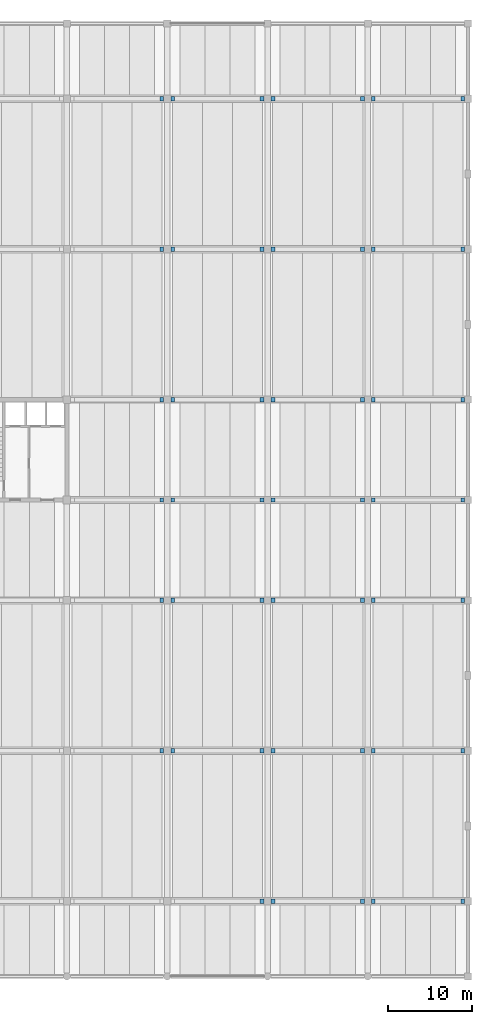
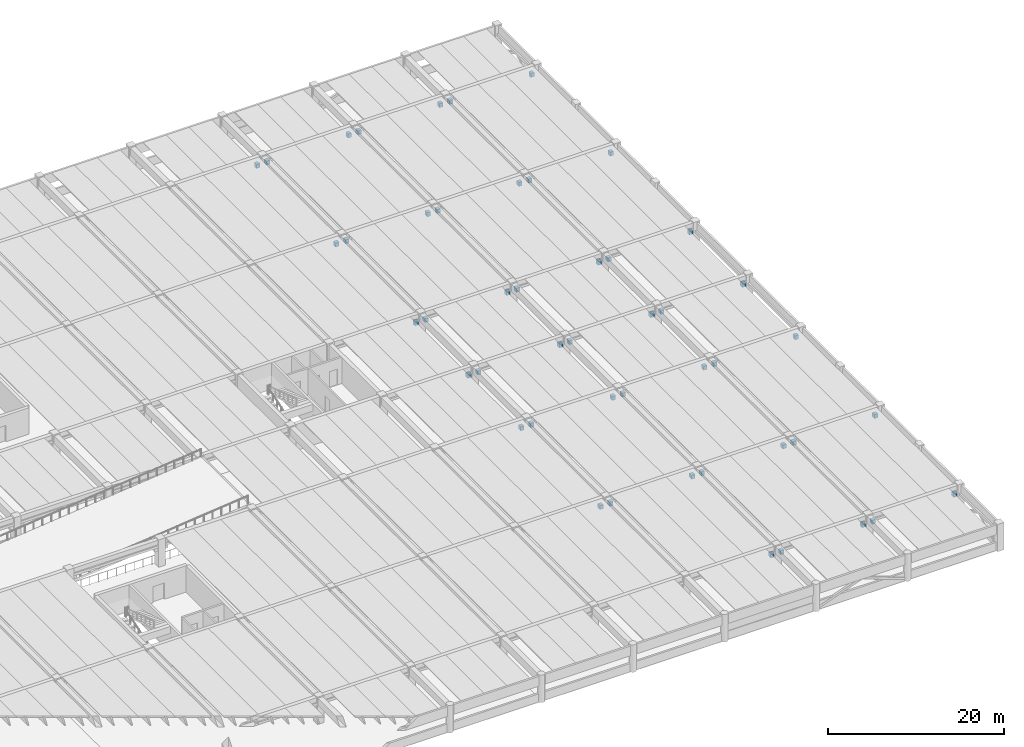
# One storey, part 14 of 19: 47 discrete accessories.
"""IFC4 building model written with IfcOpenShell, lengths in metres."""

from ifc_helpers import new_model, si_unit, direction, frame, origin, origin_2d, place, context, subcontext, project, spatial, rectangle, extrude, material, type_object, element, save


model = new_model("IFC4")

# Units and contexts
model_context = context("Model", 3, precision=1e-05, world=origin(), true_north=direction((0.0, 1.0)))
body_context = subcontext(model_context, "Body", "Model", "MODEL_VIEW")
ifc_project = project(units=[si_unit("LENGTHUNIT", "METRE"), si_unit("AREAUNIT", "SQUARE_METRE"), si_unit("VOLUMEUNIT", "CUBIC_METRE"), si_unit("PLANEANGLEUNIT", "RADIAN"), si_unit("MASSUNIT", "GRAM", prefix="KILO")], contexts=[model_context])

# Site, building, storey
site_placement = place(None, origin())
site = spatial("IfcSite", under=ifc_project, at=site_placement, CompositionType="ELEMENT")
building_placement = place(site_placement, origin())
building = spatial("IfcBuilding", under=site, at=building_placement, Name="Girod Span Mobility Hub", CompositionType="ELEMENT")
storey_placement = place(building_placement, frame((0.0, 0.0, 9.60009765625)))
storey = spatial("IfcBuildingStorey", under=building, at=storey_placement, Name="L02", CompositionType="ELEMENT", Elevation=9.60009765625)

# Discrete accessories
ifc_material = material(Name="Concrete C40/50", Category="concrete")
discrete_accessory_type = type_object("IfcDiscreteAccessoryType", Name="ACC-CORBEL-550", PredefinedType="BRACKET", material=ifc_material)
for number, where, z_axis, x_axis, name in (
    (1, (143.35205078125, 9.0, 2.13671875), (0.0, 0.0, 1.0), (1.0, 0.0, 0.0), "Precast Corbel 12/B-R L02"),
    (2, (144.64794921875, 9.0, 2.13671875), (0.0, 0.0, 1.0), (1.0, 0.0, 0.0), "Precast Corbel 13/B-L L02"),
    (3, (155.35205078125, 9.0, 2.13671875), (0.0, 0.0, 1.0), (1.0, 0.0, 0.0), "Precast Corbel 13/B-R L02"),
    (4, (156.64794921875, 9.0, 2.13671875), (0.0, 0.0, 1.0), (1.0, 0.0, 0.0), "Precast Corbel 14/B-L L02"),
    (5, (167.35205078125, 9.0, 2.13671875), (0.0, 0.0, 1.0), (1.0, 0.0, 0.0), "Precast Corbel 14/B-R L02"),
    (6, (131.35205078125, 27.0, 2.13671875), (0.0, 0.0, 1.0), (1.0, 0.0, 0.0), "Precast Corbel 11/C-R L02"),
    (7, (132.64794921875, 27.0, 2.13671875), (0.0, 0.0, 1.0), (1.0, 0.0, 0.0), "Precast Corbel 12/C-L L02"),
    (8, (143.35205078125, 27.0, 2.13671875), (0.0, 0.0, 1.0), (1.0, 0.0, 0.0), "Precast Corbel 12/C-R L02"),
    (9, (144.64794921875, 27.0, 2.13671875), (0.0, 0.0, 1.0), (1.0, 0.0, 0.0), "Precast Corbel 13/C-L L02"),
    (10, (155.35205078125, 27.0, 2.13671875), (0.0, 0.0, 1.0), (1.0, 0.0, 0.0), "Precast Corbel 13/C-R L02"),
    (11, (156.64794921875, 27.0, 2.13671875), (0.0, 0.0, 1.0), (1.0, 0.0, 0.0), "Precast Corbel 14/C-L L02"),
    (12, (167.35205078125, 27.0, 2.13671875), (0.0, 0.0, 1.0), (1.0, 0.0, 0.0), "Precast Corbel 14/C-R L02"),
    (13, (131.35205078125, 45.0, 2.13671875), (0.0, 0.0, 1.0), (1.0, 0.0, 0.0), "Precast Corbel 11/D-R L02"),
    (14, (132.64794921875, 45.0, 2.13671875), (0.0, 0.0, 1.0), (1.0, 0.0, 0.0), "Precast Corbel 12/D-L L02"),
    (15, (143.35205078125, 45.0, 2.13671875), (0.0, 0.0, 1.0), (1.0, 0.0, 0.0), "Precast Corbel 12/D-R L02"),
    (16, (144.64794921875, 45.0, 2.13671875), (0.0, 0.0, 1.0), (1.0, 0.0, 0.0), "Precast Corbel 13/D-L L02"),
    (17, (155.35205078125, 45.0, 2.13671875), (0.0, 0.0, 1.0), (1.0, 0.0, 0.0), "Precast Corbel 13/D-R L02"),
    (18, (156.64794921875, 45.0, 2.13671875), (0.0, 0.0, 1.0), (1.0, 0.0, 0.0), "Precast Corbel 14/D-L L02"),
    (19, (167.35205078125, 45.0, 2.13671875), (0.0, 0.0, 1.0), (1.0, 0.0, 0.0), "Precast Corbel 14/D-R L02"),
    (20, (131.35205078125, 57.0, 2.13671875), (0.0, 0.0, 1.0), (1.0, 0.0, 0.0), "Precast Corbel 11/E-R L02"),
    (21, (132.64794921875, 57.0, 2.13671875), (0.0, 0.0, 1.0), (1.0, 0.0, 0.0), "Precast Corbel 12/E-L L02"),
    (22, (143.35205078125, 57.0, 2.13671875), (0.0, 0.0, 1.0), (1.0, 0.0, 0.0), "Precast Corbel 12/E-R L02"),
    (23, (144.64794921875, 57.0, 2.13671875), (0.0, 0.0, 1.0), (1.0, 0.0, 0.0), "Precast Corbel 13/E-L L02"),
    (24, (155.35205078125, 57.0, 2.13671875), (0.0, 0.0, 1.0), (1.0, 0.0, 0.0), "Precast Corbel 13/E-R L02"),
    (25, (156.64794921875, 57.0, 2.13671875), (0.0, 0.0, 1.0), (1.0, 0.0, 0.0), "Precast Corbel 14/E-L L02"),
    (26, (167.35205078125, 57.0, 2.13671875), (0.0, 0.0, 1.0), (1.0, 0.0, 0.0), "Precast Corbel 14/E-R L02"),
    (27, (131.35205078125, 69.0, 2.13671875), (0.0, 0.0, 1.0), (1.0, 0.0, 0.0), "Precast Corbel 11/F-R L02"),
    (28, (132.64794921875, 69.0, 2.13671875), (0.0, 0.0, 1.0), (1.0, 0.0, 0.0), "Precast Corbel 12/F-L L02"),
    (29, (143.35205078125, 69.0, 2.13671875), (0.0, 0.0, 1.0), (1.0, 0.0, 0.0), "Precast Corbel 12/F-R L02"),
    (30, (144.64794921875, 69.0, 2.13671875), (0.0, 0.0, 1.0), (1.0, 0.0, 0.0), "Precast Corbel 13/F-L L02"),
    (31, (155.35205078125, 69.0, 2.13671875), (0.0, 0.0, 1.0), (1.0, 0.0, 0.0), "Precast Corbel 13/F-R L02"),
    (32, (156.64794921875, 69.0, 2.13671875), (0.0, 0.0, 1.0), (1.0, 0.0, 0.0), "Precast Corbel 14/F-L L02"),
    (33, (167.35205078125, 69.0, 2.13671875), (0.0, 0.0, 1.0), (1.0, 0.0, 0.0), "Precast Corbel 14/F-R L02"),
    (34, (131.35205078125, 87.0, 2.13671875), (0.0, 0.0, 1.0), (1.0, 0.0, 0.0), "Precast Corbel 11/G-R L02"),
    (35, (132.64794921875, 87.0, 2.13671875), (0.0, 0.0, 1.0), (1.0, 0.0, 0.0), "Precast Corbel 12/G-L L02"),
    (36, (143.35205078125, 87.0, 2.13671875), (0.0, 0.0, 1.0), (1.0, 0.0, 0.0), "Precast Corbel 12/G-R L02"),
    (37, (144.64794921875, 87.0, 2.13671875), (0.0, 0.0, 1.0), (1.0, 0.0, 0.0), "Precast Corbel 13/G-L L02"),
    (38, (155.35205078125, 87.0, 2.13671875), (0.0, 0.0, 1.0), (1.0, 0.0, 0.0), "Precast Corbel 13/G-R L02"),
    (39, (156.64794921875, 87.0, 2.13671875), (0.0, 0.0, 1.0), (1.0, 0.0, 0.0), "Precast Corbel 14/G-L L02"),
    (40, (167.35205078125, 87.0, 2.13671875), (0.0, 0.0, 1.0), (1.0, 0.0, 0.0), "Precast Corbel 14/G-R L02"),
    (41, (131.35205078125, 105.0, 2.13671875), (0.0, 0.0, 1.0), (1.0, 0.0, 0.0), "Precast Corbel 11/H-R L02"),
    (42, (132.64794921875, 105.0, 2.13671875), (0.0, 0.0, 1.0), (1.0, 0.0, 0.0), "Precast Corbel 12/H-L L02"),
    (43, (143.35205078125, 105.0, 2.13671875), (0.0, 0.0, 1.0), (1.0, 0.0, 0.0), "Precast Corbel 12/H-R L02"),
    (44, (144.64794921875, 105.0, 2.13671875), (0.0, 0.0, 1.0), (1.0, 0.0, 0.0), "Precast Corbel 13/H-L L02"),
    (45, (155.35205078125, 105.0, 2.13671875), (0.0, 0.0, 1.0), (1.0, 0.0, 0.0), "Precast Corbel 13/H-R L02"),
    (46, (156.64794921875, 105.0, 2.13671875), (0.0, 0.0, 1.0), (1.0, 0.0, 0.0), "Precast Corbel 14/H-L L02"),
    (47, (167.35205078125, 105.0, 2.13671875), (0.0, 0.0, 1.0), (1.0, 0.0, 0.0), "Precast Corbel 14/H-R L02"),
):
    element("IfcDiscreteAccessory", number, at=place(storey_placement, frame(where, z_axis=z_axis, x_axis=x_axis)), inside=storey, type_object=discrete_accessory_type, Name=name, PredefinedType="BRACKET", context=body_context, shape_type="SweptSolid", body=[
        extrude(rectangle(XDim=0.449951171875, YDim=0.5, at=origin_2d()), origin(), (0.0, 0.0, 1.0), 0.550048828125),
    ])

save(model, "model.ifc")
